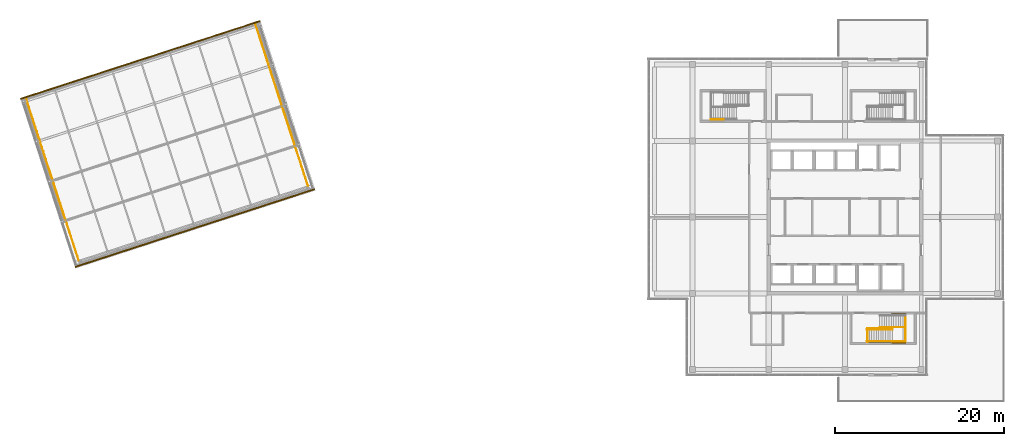
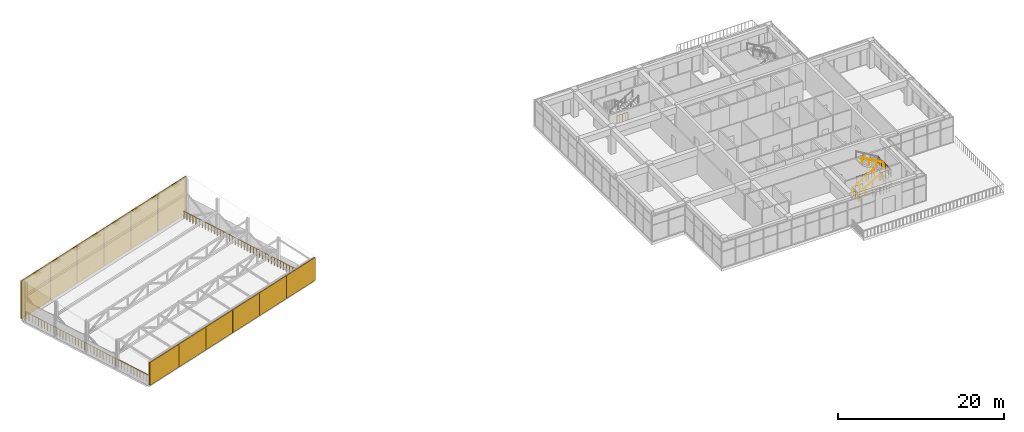
# One storey, part 47 of 49: 12 coverings, 10 railings.
"""IFC4 building model written with IfcOpenShell, lengths in metres."""

from ifc_helpers import new_model, si_unit, direction, frame, origin, origin_2d, place, context, subcontext, project, spatial, polyline, circle, outline, extrude, material, layer, layer_set, type_object, element, save


model = new_model("IFC4")

# Units and contexts
model_context = context("Model", 3, precision=1e-05, world=origin(), true_north=direction((0.0, 1.0)))
body_context = subcontext(model_context, "Body", "Model", "MODEL_VIEW")
ifc_project = project(units=[si_unit("LENGTHUNIT", "METRE"), si_unit("AREAUNIT", "SQUARE_METRE"), si_unit("VOLUMEUNIT", "CUBIC_METRE"), si_unit("PLANEANGLEUNIT", "RADIAN"), si_unit("MASSUNIT", "GRAM", prefix="KILO")], contexts=[model_context])

# Site, building, storey
site_placement = place(None, origin())
site = spatial("IfcSite", under=ifc_project, at=site_placement, CompositionType="ELEMENT")
building_placement = place(site_placement, origin())
building = spatial("IfcBuilding", under=site, at=building_placement, Name="Tuart Plaza Theatre", CompositionType="ELEMENT")
storey_placement = place(building_placement, frame((0.0, 0.0, 29.5)))
storey = spatial("IfcBuildingStorey", under=building, at=storey_placement, Name="L07", CompositionType="ELEMENT", Elevation=29.5)

# Coverings
ifc_material_1 = material(Name="Zinc")
ifc_layer = layer(ifc_material_1, 0.14990234375)
ifc_layer_set = layer_set([ifc_layer], Name="COVERING-ZINC-RAINSCREEN150")
covering_type = type_object("IfcCoveringType", Name="COVERING-ZINC-RAINSCREEN150", PredefinedType="CLADDING", material=ifc_layer_set)
covering_1_placement = place(storey_placement, frame((0.0, 0.0, 0.300048828125)))
element("IfcCovering", 1, at=covering_1_placement, inside=storey, type_object=covering_type, Name="CL70", PredefinedType="CLADDING", context=body_context, shape_type="SweptSolid", body=[
    extrude(outline(polyline([(41.10546875, 68.193359375), (46.039794921875, 69.796630859375), (46.086181640625, 69.654052734375), (41.15185546875, 68.05078125), (41.10546875, 68.193359375)])), origin(), (0.0, 0.0, 1.0), 3.347412109375),
])
covering_2_placement = place(storey_placement, frame((0.0, 0.0, 0.300048828125)))
element("IfcCovering", 2, at=covering_2_placement, inside=storey, type_object=covering_type, Name="CL71", PredefinedType="CLADDING", context=body_context, shape_type="SweptSolid", body=[
    extrude(outline(polyline([(46.058837890625, 69.802978515625), (50.63671875, 71.290283203125), (50.68310546875, 71.147705078125), (46.105224609375, 69.66015625), (46.058837890625, 69.802978515625)])), origin(), (0.0, 0.0, 1.0), 3.347412109375),
])
covering_3_placement = place(storey_placement, frame((0.0, 0.0, 0.300048828125)))
element("IfcCovering", 3, at=covering_3_placement, inside=storey, type_object=covering_type, Name="CL72", PredefinedType="CLADDING", context=body_context, shape_type="SweptSolid", body=[
    extrude(outline(polyline([(50.655517578125, 71.29638671875), (55.2333984375, 72.783935546875), (55.27978515625, 72.64111328125), (50.701904296875, 71.15380859375), (50.655517578125, 71.29638671875)])), origin(), (0.0, 0.0, 1.0), 3.347412109375),
])
covering_4_placement = place(storey_placement, frame((0.0, 0.0, 0.300048828125)))
element("IfcCovering", 4, at=covering_4_placement, inside=storey, type_object=covering_type, Name="CL73", PredefinedType="CLADDING", context=body_context, shape_type="SweptSolid", body=[
    extrude(outline(polyline([(55.25244140625, 72.7900390625), (59.830078125, 74.277587890625), (59.87646484375, 74.134765625), (55.298828125, 72.6474609375), (55.25244140625, 72.7900390625)])), origin(), (0.0, 0.0, 1.0), 3.347412109375),
])
covering_5_placement = place(storey_placement, frame((0.0, 0.0, 0.300048828125)))
element("IfcCovering", 5, at=covering_5_placement, inside=storey, type_object=covering_type, Name="CL74", PredefinedType="CLADDING", context=body_context, shape_type="SweptSolid", body=[
    extrude(outline(polyline([(59.84912109375, 74.28369140625), (64.427001953125, 75.77099609375), (64.473388671875, 75.62841796875), (59.8955078125, 74.14111328125), (59.84912109375, 74.28369140625)])), origin(), (0.0, 0.0, 1.0), 3.347412109375),
])
covering_6_placement = place(storey_placement, frame((0.0, 0.0, 0.300048828125)))
element("IfcCovering", 6, at=covering_6_placement, inside=storey, type_object=covering_type, Name="CL75", PredefinedType="CLADDING", context=body_context, shape_type="SweptSolid", body=[
    extrude(outline(polyline([(64.446044921875, 75.777099609375), (69.38037109375, 77.380615234375), (69.4267578125, 77.23779296875), (64.4921875, 75.634521484375), (64.446044921875, 75.777099609375)])), origin(), (0.0, 0.0, 1.0), 3.347412109375),
])
covering_7_placement = place(storey_placement, frame((0.0, 0.0, 0.300048828125)))
element("IfcCovering", 7, at=covering_7_placement, inside=storey, type_object=covering_type, Name="CL76", PredefinedType="CLADDING", context=body_context, shape_type="SweptSolid", body=[
    extrude(outline(polyline([(34.660888671875, 88.027587890625), (39.59521484375, 89.631103515625), (39.6416015625, 89.48828125), (34.707275390625, 87.885009765625), (34.660888671875, 88.027587890625)])), origin(), (0.0, 0.0, 1.0), 5.554931640625),
])
covering_8_placement = place(storey_placement, frame((0.0, 0.0, 0.300048828125)))
element("IfcCovering", 8, at=covering_8_placement, inside=storey, type_object=covering_type, Name="CL77", PredefinedType="CLADDING", context=body_context, shape_type="SweptSolid", body=[
    extrude(outline(polyline([(39.6142578125, 89.63720703125), (44.192138671875, 91.12451171875), (44.23828125, 90.98193359375), (39.66064453125, 89.494384765625), (39.6142578125, 89.63720703125)])), origin(), (0.0, 0.0, 1.0), 5.554931640625),
])
covering_9_placement = place(storey_placement, frame((0.0, 0.0, 0.300048828125)))
element("IfcCovering", 9, at=covering_9_placement, inside=storey, type_object=covering_type, Name="CL78", PredefinedType="CLADDING", context=body_context, shape_type="SweptSolid", body=[
    extrude(outline(polyline([(44.211181640625, 91.130859375), (48.788818359375, 92.6181640625), (48.835205078125, 92.4755859375), (44.25732421875, 90.988037109375), (44.211181640625, 91.130859375)])), origin(), (0.0, 0.0, 1.0), 5.554931640625),
])
covering_10_placement = place(storey_placement, frame((0.0, 0.0, 0.300048828125)))
element("IfcCovering", 10, at=covering_10_placement, inside=storey, type_object=covering_type, Name="CL79", PredefinedType="CLADDING", context=body_context, shape_type="SweptSolid", body=[
    extrude(outline(polyline([(48.807861328125, 92.624267578125), (53.385498046875, 94.11181640625), (53.431884765625, 93.968994140625), (48.854248046875, 92.481689453125), (48.807861328125, 92.624267578125)])), origin(), (0.0, 0.0, 1.0), 5.554931640625),
])
covering_11_placement = place(storey_placement, frame((0.0, 0.0, 0.300048828125)))
element("IfcCovering", 11, at=covering_11_placement, inside=storey, type_object=covering_type, Name="CL80", PredefinedType="CLADDING", context=body_context, shape_type="SweptSolid", body=[
    extrude(outline(polyline([(53.404541015625, 94.117919921875), (57.982421875, 95.605224609375), (58.02880859375, 95.462646484375), (53.450927734375, 93.975341796875), (53.404541015625, 94.117919921875)])), origin(), (0.0, 0.0, 1.0), 5.554931640625),
])
covering_12_placement = place(storey_placement, frame((0.0, 0.0, 0.300048828125)))
element("IfcCovering", 12, at=covering_12_placement, inside=storey, type_object=covering_type, Name="CL81", PredefinedType="CLADDING", context=body_context, shape_type="SweptSolid", body=[
    extrude(outline(polyline([(58.00146484375, 95.611572265625), (62.935791015625, 97.21484375), (62.982177734375, 97.072021484375), (58.0478515625, 95.46875), (58.00146484375, 95.611572265625)])), origin(), (0.0, 0.0, 1.0), 5.554931640625),
])

# Railings
ifc_material_2 = material(Name="Steel Grade C350L0", Category="steel")
railing_type_1 = type_object("IfcRailingType", Name="RAILING Guard 1100", PredefinedType="GUARDRAIL", material=ifc_material_2)
railing_1_placement = place(storey_placement, frame((41.54248046875, 68.9033203125, 0.0)))
element("IfcRailing", 13, at=railing_1_placement, inside=storey, type_object=railing_type_1, Name="GR123", PredefinedType="GUARDRAIL", context=body_context, shape_type="SweptSolid", body=[
    extrude(circle(Radius=0.02490234375, at=origin_2d()), frame((0.0, 0.0, 1.0751953125), z_axis=(-0.309022586479, 0.951054699292, 0.0), x_axis=(-0.951054699292, -0.309022586479, 0.0)), (0.0, 0.0, 1.0), 20.0),
    extrude(circle(Radius=0.02001953125, at=origin_2d()), origin(), (0.0, 0.0, 1.0), 1.050048828125),
    extrude(circle(Radius=0.02001953125, at=origin_2d()), frame((-0.154541015625, 0.4755859375, 0.0)), (0.0, 0.0, 1.0), 1.050048828125),
    extrude(circle(Radius=0.02001953125, at=origin_2d()), frame((-0.30908203125, 0.951171875, 0.0)), (0.0, 0.0, 1.0), 1.050048828125),
    extrude(circle(Radius=0.02001953125, at=origin_2d()), frame((-0.463623046875, 1.426513671875, 0.0)), (0.0, 0.0, 1.0), 1.050048828125),
    extrude(circle(Radius=0.02001953125, at=origin_2d()), frame((-0.6181640625, 1.902099609375, 0.0)), (0.0, 0.0, 1.0), 1.050048828125),
    extrude(circle(Radius=0.02001953125, at=origin_2d()), frame((-0.7724609375, 2.377685546875, 0.0)), (0.0, 0.0, 1.0), 1.050048828125),
    extrude(circle(Radius=0.02001953125, at=origin_2d()), frame((-0.927001953125, 2.85302734375, 0.0)), (0.0, 0.0, 1.0), 1.050048828125),
    extrude(circle(Radius=0.02001953125, at=origin_2d()), frame((-1.08154296875, 3.32861328125, 0.0)), (0.0, 0.0, 1.0), 1.050048828125),
    extrude(circle(Radius=0.02001953125, at=origin_2d()), frame((-1.236083984375, 3.80419921875, 0.0)), (0.0, 0.0, 1.0), 1.050048828125),
    extrude(circle(Radius=0.02001953125, at=origin_2d()), frame((-1.390625, 4.27978515625, 0.0)), (0.0, 0.0, 1.0), 1.050048828125),
    extrude(circle(Radius=0.02001953125, at=origin_2d()), frame((-1.545166015625, 4.75537109375, 0.0)), (0.0, 0.0, 1.0), 1.050048828125),
    extrude(circle(Radius=0.02001953125, at=origin_2d()), frame((-1.69970703125, 5.230712890625, 0.0)), (0.0, 0.0, 1.0), 1.050048828125),
    extrude(circle(Radius=0.02001953125, at=origin_2d()), frame((-1.85400390625, 5.706298828125, 0.0)), (0.0, 0.0, 1.0), 1.050048828125),
    extrude(circle(Radius=0.02001953125, at=origin_2d()), frame((-2.008544921875, 6.181884765625, 0.0)), (0.0, 0.0, 1.0), 1.050048828125),
    extrude(circle(Radius=0.02001953125, at=origin_2d()), frame((-2.1630859375, 6.6572265625, 0.0)), (0.0, 0.0, 1.0), 1.050048828125),
    extrude(circle(Radius=0.02001953125, at=origin_2d()), frame((-2.317626953125, 7.1328125, 0.0)), (0.0, 0.0, 1.0), 1.050048828125),
    extrude(circle(Radius=0.02001953125, at=origin_2d()), frame((-2.47216796875, 7.6083984375, 0.0)), (0.0, 0.0, 1.0), 1.050048828125),
    extrude(circle(Radius=0.02001953125, at=origin_2d()), frame((-2.626708984375, 8.083984375, 0.0)), (0.0, 0.0, 1.0), 1.050048828125),
    extrude(circle(Radius=0.02001953125, at=origin_2d()), frame((-2.78125, 8.5595703125, 0.0)), (0.0, 0.0, 1.0), 1.050048828125),
    extrude(circle(Radius=0.02001953125, at=origin_2d()), frame((-2.935791015625, 9.034912109375, 0.0)), (0.0, 0.0, 1.0), 1.050048828125),
    extrude(circle(Radius=0.02001953125, at=origin_2d()), frame((-3.09033203125, 9.510498046875, 0.0)), (0.0, 0.0, 1.0), 1.050048828125),
    extrude(circle(Radius=0.02001953125, at=origin_2d()), frame((-3.24462890625, 9.986083984375, 0.0)), (0.0, 0.0, 1.0), 1.050048828125),
    extrude(circle(Radius=0.02001953125, at=origin_2d()), frame((-3.399169921875, 10.46142578125, 0.0)), (0.0, 0.0, 1.0), 1.050048828125),
    extrude(circle(Radius=0.02001953125, at=origin_2d()), frame((-3.5537109375, 10.93701171875, 0.0)), (0.0, 0.0, 1.0), 1.050048828125),
    extrude(circle(Radius=0.02001953125, at=origin_2d()), frame((-3.708251953125, 11.41259765625, 0.0)), (0.0, 0.0, 1.0), 1.050048828125),
    extrude(circle(Radius=0.02001953125, at=origin_2d()), frame((-3.86279296875, 11.88818359375, 0.0)), (0.0, 0.0, 1.0), 1.050048828125),
    extrude(circle(Radius=0.02001953125, at=origin_2d()), frame((-4.017333984375, 12.36376953125, 0.0)), (0.0, 0.0, 1.0), 1.050048828125),
    extrude(circle(Radius=0.02001953125, at=origin_2d()), frame((-4.171875, 12.839111328125, 0.0)), (0.0, 0.0, 1.0), 1.050048828125),
    extrude(circle(Radius=0.02001953125, at=origin_2d()), frame((-4.326171875, 13.314697265625, 0.0)), (0.0, 0.0, 1.0), 1.050048828125),
    extrude(circle(Radius=0.02001953125, at=origin_2d()), frame((-4.480712890625, 13.790283203125, 0.0)), (0.0, 0.0, 1.0), 1.050048828125),
    extrude(circle(Radius=0.02001953125, at=origin_2d()), frame((-4.63525390625, 14.265625, 0.0)), (0.0, 0.0, 1.0), 1.050048828125),
    extrude(circle(Radius=0.02001953125, at=origin_2d()), frame((-4.789794921875, 14.7412109375, 0.0)), (0.0, 0.0, 1.0), 1.050048828125),
    extrude(circle(Radius=0.02001953125, at=origin_2d()), frame((-4.9443359375, 15.216796875, 0.0)), (0.0, 0.0, 1.0), 1.050048828125),
    extrude(circle(Radius=0.02001953125, at=origin_2d()), frame((-5.098876953125, 15.6923828125, 0.0)), (0.0, 0.0, 1.0), 1.050048828125),
    extrude(circle(Radius=0.02001953125, at=origin_2d()), frame((-5.25341796875, 16.16796875, 0.0)), (0.0, 0.0, 1.0), 1.050048828125),
    extrude(circle(Radius=0.02001953125, at=origin_2d()), frame((-5.407958984375, 16.643310546875, 0.0)), (0.0, 0.0, 1.0), 1.050048828125),
    extrude(circle(Radius=0.02001953125, at=origin_2d()), frame((-5.5625, 17.118896484375, 0.0)), (0.0, 0.0, 1.0), 1.050048828125),
    extrude(circle(Radius=0.02001953125, at=origin_2d()), frame((-5.716796875, 17.594482421875, 0.0)), (0.0, 0.0, 1.0), 1.050048828125),
    extrude(circle(Radius=0.02001953125, at=origin_2d()), frame((-5.871337890625, 18.06982421875, 0.0)), (0.0, 0.0, 1.0), 1.050048828125),
    extrude(circle(Radius=0.02001953125, at=origin_2d()), frame((-6.02587890625, 18.54541015625, 0.0)), (0.0, 0.0, 1.0), 1.050048828125),
    extrude(circle(Radius=0.02001953125, at=origin_2d()), frame((-6.180419921875, 19.02099609375, 0.0)), (0.0, 0.0, 1.0), 1.050048828125),
])
railing_2_placement = place(storey_placement, frame((68.609619140625, 77.69775390625, 0.0)))
element("IfcRailing", 14, at=railing_2_placement, inside=storey, type_object=railing_type_1, Name="GR124", PredefinedType="GUARDRAIL", context=body_context, shape_type="SweptSolid", body=[
    extrude(circle(Radius=0.02490234375, at=origin_2d()), frame((0.0, 0.0, 1.0751953125), z_axis=(-0.309018998885, 0.951055864988, 0.0), x_axis=(-0.951055864988, -0.309018998885, 0.0)), (0.0, 0.0, 1.0), 20.000244140625),
    extrude(circle(Radius=0.02001953125, at=origin_2d()), origin(), (0.0, 0.0, 1.0), 1.050048828125),
    extrude(circle(Radius=0.02001953125, at=origin_2d()), frame((-0.150634765625, 0.4638671875, 0.0)), (0.0, 0.0, 1.0), 1.050048828125),
    extrude(circle(Radius=0.02001953125, at=origin_2d()), frame((-0.301513671875, 0.927978515625, 0.0)), (0.0, 0.0, 1.0), 1.050048828125),
    extrude(circle(Radius=0.02001953125, at=origin_2d()), frame((-0.4521484375, 1.391845703125, 0.0)), (0.0, 0.0, 1.0), 1.050048828125),
    extrude(circle(Radius=0.02001953125, at=origin_2d()), frame((-0.60302734375, 1.855712890625, 0.0)), (0.0, 0.0, 1.0), 1.050048828125),
    extrude(circle(Radius=0.02001953125, at=origin_2d()), frame((-0.753662109375, 2.319580078125, 0.0)), (0.0, 0.0, 1.0), 1.050048828125),
    extrude(circle(Radius=0.02001953125, at=origin_2d()), frame((-0.904541015625, 2.78369140625, 0.0)), (0.0, 0.0, 1.0), 1.050048828125),
    extrude(circle(Radius=0.02001953125, at=origin_2d()), frame((-1.05517578125, 3.24755859375, 0.0)), (0.0, 0.0, 1.0), 1.050048828125),
    extrude(circle(Radius=0.02001953125, at=origin_2d()), frame((-1.2060546875, 3.71142578125, 0.0)), (0.0, 0.0, 1.0), 1.050048828125),
    extrude(circle(Radius=0.02001953125, at=origin_2d()), frame((-1.356689453125, 4.17529296875, 0.0)), (0.0, 0.0, 1.0), 1.050048828125),
    extrude(circle(Radius=0.02001953125, at=origin_2d()), frame((-1.50732421875, 4.639404296875, 0.0)), (0.0, 0.0, 1.0), 1.050048828125),
    extrude(circle(Radius=0.02001953125, at=origin_2d()), frame((-1.658203125, 5.103271484375, 0.0)), (0.0, 0.0, 1.0), 1.050048828125),
    extrude(circle(Radius=0.02001953125, at=origin_2d()), frame((-1.808837890625, 5.567138671875, 0.0)), (0.0, 0.0, 1.0), 1.050048828125),
    extrude(circle(Radius=0.02001953125, at=origin_2d()), frame((-1.959716796875, 6.031005859375, 0.0)), (0.0, 0.0, 1.0), 1.050048828125),
    extrude(circle(Radius=0.02001953125, at=origin_2d()), frame((-2.1103515625, 6.4951171875, 0.0)), (0.0, 0.0, 1.0), 1.050048828125),
    extrude(circle(Radius=0.02001953125, at=origin_2d()), frame((-2.26123046875, 6.958984375, 0.0)), (0.0, 0.0, 1.0), 1.050048828125),
    extrude(circle(Radius=0.02001953125, at=origin_2d()), frame((-2.411865234375, 7.4228515625, 0.0)), (0.0, 0.0, 1.0), 1.050048828125),
    extrude(circle(Radius=0.02001953125, at=origin_2d()), frame((-2.5625, 7.886962890625, 0.0)), (0.0, 0.0, 1.0), 1.050048828125),
    extrude(circle(Radius=0.02001953125, at=origin_2d()), frame((-2.71337890625, 8.350830078125, 0.0)), (0.0, 0.0, 1.0), 1.050048828125),
    extrude(circle(Radius=0.02001953125, at=origin_2d()), frame((-2.864013671875, 8.814697265625, 0.0)), (0.0, 0.0, 1.0), 1.050048828125),
    extrude(circle(Radius=0.02001953125, at=origin_2d()), frame((-3.014892578125, 9.278564453125, 0.0)), (0.0, 0.0, 1.0), 1.050048828125),
    extrude(circle(Radius=0.02001953125, at=origin_2d()), frame((-3.16552734375, 9.74267578125, 0.0)), (0.0, 0.0, 1.0), 1.050048828125),
    extrude(circle(Radius=0.02001953125, at=origin_2d()), frame((-3.31640625, 10.20654296875, 0.0)), (0.0, 0.0, 1.0), 1.050048828125),
    extrude(circle(Radius=0.02001953125, at=origin_2d()), frame((-3.467041015625, 10.67041015625, 0.0)), (0.0, 0.0, 1.0), 1.050048828125),
    extrude(circle(Radius=0.02001953125, at=origin_2d()), frame((-3.617919921875, 11.13427734375, 0.0)), (0.0, 0.0, 1.0), 1.050048828125),
    extrude(circle(Radius=0.02001953125, at=origin_2d()), frame((-3.7685546875, 11.598388671875, 0.0)), (0.0, 0.0, 1.0), 1.050048828125),
    extrude(circle(Radius=0.02001953125, at=origin_2d()), frame((-3.919189453125, 12.062255859375, 0.0)), (0.0, 0.0, 1.0), 1.050048828125),
    extrude(circle(Radius=0.02001953125, at=origin_2d()), frame((-4.070068359375, 12.526123046875, 0.0)), (0.0, 0.0, 1.0), 1.050048828125),
    extrude(circle(Radius=0.02001953125, at=origin_2d()), frame((-4.220703125, 12.990234375, 0.0)), (0.0, 0.0, 1.0), 1.050048828125),
    extrude(circle(Radius=0.02001953125, at=origin_2d()), frame((-4.37158203125, 13.4541015625, 0.0)), (0.0, 0.0, 1.0), 1.050048828125),
    extrude(circle(Radius=0.02001953125, at=origin_2d()), frame((-4.522216796875, 13.91796875, 0.0)), (0.0, 0.0, 1.0), 1.050048828125),
    extrude(circle(Radius=0.02001953125, at=origin_2d()), frame((-4.673095703125, 14.3818359375, 0.0)), (0.0, 0.0, 1.0), 1.050048828125),
    extrude(circle(Radius=0.02001953125, at=origin_2d()), frame((-4.82373046875, 14.845947265625, 0.0)), (0.0, 0.0, 1.0), 1.050048828125),
    extrude(circle(Radius=0.02001953125, at=origin_2d()), frame((-4.974365234375, 15.309814453125, 0.0)), (0.0, 0.0, 1.0), 1.050048828125),
    extrude(circle(Radius=0.02001953125, at=origin_2d()), frame((-5.125244140625, 15.773681640625, 0.0)), (0.0, 0.0, 1.0), 1.050048828125),
    extrude(circle(Radius=0.02001953125, at=origin_2d()), frame((-5.27587890625, 16.237548828125, 0.0)), (0.0, 0.0, 1.0), 1.050048828125),
    extrude(circle(Radius=0.02001953125, at=origin_2d()), frame((-5.4267578125, 16.70166015625, 0.0)), (0.0, 0.0, 1.0), 1.050048828125),
    extrude(circle(Radius=0.02001953125, at=origin_2d()), frame((-5.577392578125, 17.16552734375, 0.0)), (0.0, 0.0, 1.0), 1.050048828125),
    extrude(circle(Radius=0.02001953125, at=origin_2d()), frame((-5.728271484375, 17.62939453125, 0.0)), (0.0, 0.0, 1.0), 1.050048828125),
    extrude(circle(Radius=0.02001953125, at=origin_2d()), frame((-5.87890625, 18.09326171875, 0.0)), (0.0, 0.0, 1.0), 1.050048828125),
    extrude(circle(Radius=0.02001953125, at=origin_2d()), frame((-6.02978515625, 18.557373046875, 0.0)), (0.0, 0.0, 1.0), 1.050048828125),
    extrude(circle(Radius=0.02001953125, at=origin_2d()), frame((-6.180419921875, 19.021240234375, 0.0)), (0.0, 0.0, 1.0), 1.050048828125),
])
railing_3_placement = place(storey_placement, frame((134.655029296875, 59.25, 0.0)))
element("IfcRailing", 15, at=railing_3_placement, inside=storey, type_object=railing_type_1, Name="GR229", PredefinedType="GUARDRAIL", context=body_context, shape_type="SweptSolid", body=[
    extrude(circle(Radius=0.02490234375, at=origin_2d()), frame((0.0, 0.0, 1.0751953125), z_axis=(0.0, 1.0, 0.0), x_axis=(-1.0, 0.0, 0.0)), (0.0, 0.0, 1.0), 1.625),
    extrude(circle(Radius=0.02490234375, at=origin_2d()), frame((0.0, 1.625, 1.0751953125), z_axis=(1.0, 0.0, 0.0), x_axis=(0.0, 1.0, 0.0)), (0.0, 0.0, 1.0), 1.455078125),
    extrude(circle(Radius=0.02001953125, at=origin_2d()), origin(), (0.0, 0.0, 1.0), 1.050048828125),
    extrude(circle(Radius=0.02001953125, at=origin_2d()), frame((0.0, 0.40625, 0.0)), (0.0, 0.0, 1.0), 1.050048828125),
    extrude(circle(Radius=0.02001953125, at=origin_2d()), frame((0.0, 0.8125, 0.0)), (0.0, 0.0, 1.0), 1.050048828125),
    extrude(circle(Radius=0.02001953125, at=origin_2d()), frame((0.0, 1.21875, 0.0)), (0.0, 0.0, 1.0), 1.050048828125),
    extrude(circle(Radius=0.02001953125, at=origin_2d()), frame((0.0, 1.625, 0.0)), (0.0, 0.0, 1.0), 1.050048828125),
    extrude(circle(Radius=0.02001953125, at=origin_2d()), frame((0.485107421875, 1.625, 0.0)), (0.0, 0.0, 1.0), 1.050048828125),
    extrude(circle(Radius=0.02001953125, at=origin_2d()), frame((0.969970703125, 1.625, 0.0)), (0.0, 0.0, 1.0), 1.050048828125),
    extrude(circle(Radius=0.02001953125, at=origin_2d()), frame((1.455078125, 1.625, 0.0)), (0.0, 0.0, 1.0), 1.050048828125),
])
railing_4_placement = place(storey_placement, frame((136.114990234375, 62.455078125, 0.0)))
element("IfcRailing", 16, at=railing_4_placement, inside=storey, type_object=railing_type_1, Name="GR230", PredefinedType="GUARDRAIL", context=body_context, shape_type="SweptSolid", body=[
    extrude(circle(Radius=0.02490234375, at=origin_2d()), frame((0.0, 0.0, 1.0751953125), z_axis=(0.0, 1.0, 0.0), x_axis=(-1.0, 0.0, 0.0)), (0.0, 0.0, 1.0), 0.044921875),
    extrude(circle(Radius=0.02490234375, at=origin_2d()), frame((0.0, 0.044921875, 1.0751953125), z_axis=(1.0, 0.0, 0.0), x_axis=(0.0, 1.0, 0.0)), (0.0, 0.0, 1.0), 1.43505859375),
    extrude(circle(Radius=0.02490234375, at=origin_2d()), frame((1.43505859375, 0.044921875, 1.0751953125), z_axis=(0.0, 1.0, 0.0), x_axis=(-1.0, 0.0, 0.0)), (0.0, 0.0, 1.0), 0.123046875),
    extrude(circle(Radius=0.02490234375, at=origin_2d()), frame((1.43505859375, 0.16796875, 1.0751953125), z_axis=(1.0, 0.0, 0.0), x_axis=(0.0, 1.0, 0.0)), (0.0, 0.0, 1.0), 1.6298828125),
    extrude(circle(Radius=0.02490234375, at=origin_2d()), frame((3.06494140625, 0.16796875, 1.0751953125), z_axis=(0.0, -1.0, 0.0), x_axis=(1.0, 0.0, 0.0)), (0.0, 0.0, 1.0), 3.49609375),
    extrude(circle(Radius=0.02490234375, at=origin_2d()), frame((3.06494140625, -3.328125, 1.0751953125), z_axis=(-1.0, 0.0, 0.0), x_axis=(0.0, -1.0, 0.0)), (0.0, 0.0, 1.0), 1.6298828125),
    extrude(circle(Radius=0.02490234375, at=origin_2d()), frame((1.43505859375, -3.328125, 1.0751953125), z_axis=(0.0, 1.0, 0.0), x_axis=(-1.0, 0.0, 0.0)), (0.0, 0.0, 1.0), 0.123046875),
    extrude(circle(Radius=0.02490234375, at=origin_2d()), frame((1.43505859375, -3.205078125, 1.0751953125), z_axis=(-1.0, 0.0, 0.0), x_axis=(0.0, -1.0, 0.0)), (0.0, 0.0, 1.0), 2.89501953125),
    extrude(circle(Radius=0.02001953125, at=origin_2d()), origin(), (0.0, 0.0, 1.0), 1.050048828125),
    extrude(circle(Radius=0.02001953125, at=origin_2d()), frame((0.0, 0.044921875, 0.0)), (0.0, 0.0, 1.0), 1.050048828125),
    extrude(circle(Radius=0.02001953125, at=origin_2d()), frame((0.478271484375, 0.044921875, 0.0)), (0.0, 0.0, 1.0), 1.050048828125),
    extrude(circle(Radius=0.02001953125, at=origin_2d()), frame((0.956787109375, 0.044921875, 0.0)), (0.0, 0.0, 1.0), 1.050048828125),
    extrude(circle(Radius=0.02001953125, at=origin_2d()), frame((1.43505859375, 0.044921875, 0.0)), (0.0, 0.0, 1.0), 1.050048828125),
    extrude(circle(Radius=0.02001953125, at=origin_2d()), frame((1.43505859375, 0.16796875, 0.0)), (0.0, 0.0, 1.0), 1.050048828125),
    extrude(circle(Radius=0.02001953125, at=origin_2d()), frame((1.842529296875, 0.16796875, 0.0)), (0.0, 0.0, 1.0), 1.050048828125),
    extrude(circle(Radius=0.02001953125, at=origin_2d()), frame((2.25, 0.16796875, 0.0)), (0.0, 0.0, 1.0), 1.050048828125),
    extrude(circle(Radius=0.02001953125, at=origin_2d()), frame((2.657470703125, 0.16796875, 0.0)), (0.0, 0.0, 1.0), 1.050048828125),
    extrude(circle(Radius=0.02001953125, at=origin_2d()), frame((3.06494140625, 0.16796875, 0.0)), (0.0, 0.0, 1.0), 1.050048828125),
    extrude(circle(Radius=0.02001953125, at=origin_2d()), frame((3.06494140625, -0.33154296875, 0.0)), (0.0, 0.0, 1.0), 1.050048828125),
    extrude(circle(Radius=0.02001953125, at=origin_2d()), frame((3.06494140625, -0.830810546875, 0.0)), (0.0, 0.0, 1.0), 1.050048828125),
    extrude(circle(Radius=0.02001953125, at=origin_2d()), frame((3.06494140625, -1.330322265625, 0.0)), (0.0, 0.0, 1.0), 1.050048828125),
    extrude(circle(Radius=0.02001953125, at=origin_2d()), frame((3.06494140625, -1.829833984375, 0.0)), (0.0, 0.0, 1.0), 1.050048828125),
    extrude(circle(Radius=0.02001953125, at=origin_2d()), frame((3.06494140625, -2.329345703125, 0.0)), (0.0, 0.0, 1.0), 1.050048828125),
    extrude(circle(Radius=0.02001953125, at=origin_2d()), frame((3.06494140625, -2.82861328125, 0.0)), (0.0, 0.0, 1.0), 1.050048828125),
    extrude(circle(Radius=0.02001953125, at=origin_2d()), frame((3.06494140625, -3.328125, 0.0)), (0.0, 0.0, 1.0), 1.050048828125),
    extrude(circle(Radius=0.02001953125, at=origin_2d()), frame((2.657470703125, -3.328125, 0.0)), (0.0, 0.0, 1.0), 1.050048828125),
    extrude(circle(Radius=0.02001953125, at=origin_2d()), frame((2.25, -3.328125, 0.0)), (0.0, 0.0, 1.0), 1.050048828125),
    extrude(circle(Radius=0.02001953125, at=origin_2d()), frame((1.842529296875, -3.328125, 0.0)), (0.0, 0.0, 1.0), 1.050048828125),
    extrude(circle(Radius=0.02001953125, at=origin_2d()), frame((1.43505859375, -3.328125, 0.0)), (0.0, 0.0, 1.0), 1.050048828125),
    extrude(circle(Radius=0.02001953125, at=origin_2d()), frame((1.43505859375, -3.205078125, 0.0)), (0.0, 0.0, 1.0), 1.050048828125),
    extrude(circle(Radius=0.02001953125, at=origin_2d()), frame((0.95263671875, -3.205078125, 0.0)), (0.0, 0.0, 1.0), 1.050048828125),
    extrude(circle(Radius=0.02001953125, at=origin_2d()), frame((0.469970703125, -3.205078125, 0.0)), (0.0, 0.0, 1.0), 1.050048828125),
    extrude(circle(Radius=0.02001953125, at=origin_2d()), frame((-0.012451171875, -3.205078125, 0.0)), (0.0, 0.0, 1.0), 1.050048828125),
    extrude(circle(Radius=0.02001953125, at=origin_2d()), frame((-0.494873046875, -3.205078125, 0.0)), (0.0, 0.0, 1.0), 1.050048828125),
    extrude(circle(Radius=0.02001953125, at=origin_2d()), frame((-0.9775390625, -3.205078125, 0.0)), (0.0, 0.0, 1.0), 1.050048828125),
    extrude(circle(Radius=0.02001953125, at=origin_2d()), frame((-1.4599609375, -3.205078125, 0.0)), (0.0, 0.0, 1.0), 1.050048828125),
])
railing_5_placement = place(storey_placement, frame((137.60009765625, 59.300048828125, 2.0)))
element("IfcRailing", 17, at=railing_5_placement, inside=storey, type_object=railing_type_1, Name="GR236", PredefinedType="GUARDRAIL", context=body_context, shape_type="SweptSolid", body=[
    extrude(circle(Radius=0.02490234375, at=origin_2d()), frame((0.0, 0.0, 1.0751953125), z_axis=(1.0, 0.0, 0.0), x_axis=(0.0, 1.0, 0.0)), (0.0, 0.0, 1.0), 1.52978515625),
    extrude(circle(Radius=0.02001953125, at=origin_2d()), origin(), (0.0, 0.0, 1.0), 1.050048828125),
    extrude(circle(Radius=0.02001953125, at=origin_2d()), frame((0.38232421875, 0.0, 0.0)), (0.0, 0.0, 1.0), 1.050048828125),
    extrude(circle(Radius=0.02001953125, at=origin_2d()), frame((0.764892578125, 0.0, 0.0)), (0.0, 0.0, 1.0), 1.050048828125),
    extrude(circle(Radius=0.02001953125, at=origin_2d()), frame((1.1474609375, 0.0, 0.0)), (0.0, 0.0, 1.0), 1.050048828125),
    extrude(circle(Radius=0.02001953125, at=origin_2d()), frame((1.52978515625, 0.0, 0.0)), (0.0, 0.0, 1.0), 1.050048828125),
])
railing_6_placement = place(storey_placement, frame((139.1298828125, 59.300048828125, 2.0)))
element("IfcRailing", 18, at=railing_6_placement, inside=storey, type_object=railing_type_1, Name="GR237", PredefinedType="GUARDRAIL", context=body_context, shape_type="SweptSolid", body=[
    extrude(circle(Radius=0.02490234375, at=origin_2d()), frame((0.0, 0.0, 1.0751953125), z_axis=(0.0, 1.0, 0.0), x_axis=(-1.0, 0.0, 0.0)), (0.0, 0.0, 1.0), 3.14990234375),
    extrude(circle(Radius=0.02001953125, at=origin_2d()), origin(), (0.0, 0.0, 1.0), 1.050048828125),
    extrude(circle(Radius=0.02001953125, at=origin_2d()), frame((0.0, 0.449951171875, 0.0)), (0.0, 0.0, 1.0), 1.050048828125),
    extrude(circle(Radius=0.02001953125, at=origin_2d()), frame((0.0, 0.89990234375, 0.0)), (0.0, 0.0, 1.0), 1.050048828125),
    extrude(circle(Radius=0.02001953125, at=origin_2d()), frame((0.0, 1.349853515625, 0.0)), (0.0, 0.0, 1.0), 1.050048828125),
    extrude(circle(Radius=0.02001953125, at=origin_2d()), frame((0.0, 1.800048828125, 0.0)), (0.0, 0.0, 1.0), 1.050048828125),
    extrude(circle(Radius=0.02001953125, at=origin_2d()), frame((0.0, 2.25, 0.0)), (0.0, 0.0, 1.0), 1.050048828125),
    extrude(circle(Radius=0.02001953125, at=origin_2d()), frame((0.0, 2.699951171875, 0.0)), (0.0, 0.0, 1.0), 1.050048828125),
    extrude(circle(Radius=0.02001953125, at=origin_2d()), frame((0.0, 3.14990234375, 0.0)), (0.0, 0.0, 1.0), 1.050048828125),
])
railing_7_placement = place(storey_placement, frame((116.169921875, 85.550048828125, 2.0)))
element("IfcRailing", 19, at=railing_7_placement, inside=storey, type_object=railing_type_1, Name="GR396", PredefinedType="GUARDRAIL", context=body_context, shape_type="SweptSolid", body=[
    extrude(circle(Radius=0.02490234375, at=origin_2d()), frame((0.0, 0.0, 1.0751953125), z_axis=(1.0, 0.0, 0.0), x_axis=(0.0, 1.0, 0.0)), (0.0, 0.0, 1.0), 1.530029296875),
    extrude(circle(Radius=0.02001953125, at=origin_2d()), origin(), (0.0, 0.0, 1.0), 1.050048828125),
    extrude(circle(Radius=0.02001953125, at=origin_2d()), frame((0.382568359375, 0.0, 0.0)), (0.0, 0.0, 1.0), 1.050048828125),
    extrude(circle(Radius=0.02001953125, at=origin_2d()), frame((0.76513671875, 0.0, 0.0)), (0.0, 0.0, 1.0), 1.050048828125),
    extrude(circle(Radius=0.02001953125, at=origin_2d()), frame((1.1474609375, 0.0, 0.0)), (0.0, 0.0, 1.0), 1.050048828125),
    extrude(circle(Radius=0.02001953125, at=origin_2d()), frame((1.530029296875, 0.0, 0.0)), (0.0, 0.0, 1.0), 1.050048828125),
])
ifc_material_3 = material(Name="Steel Grade C350L0", Category="steel")
railing_type_2 = type_object("IfcRailingType", Name="RAILING Handrail 900", PredefinedType="HANDRAIL", material=ifc_material_3)
for number, where, name in (
    (20, (134.594970703125, 60.75, 0.166748046875), "HR143"),
    (21, (134.594970703125, 59.35009765625, 0.166748046875), "HR144"),
):
    element("IfcRailing", number, at=place(storey_placement, frame(where)), inside=storey, type_object=railing_type_2, Name=name, PredefinedType="HANDRAIL", context=body_context, shape_type="SweptSolid", body=[
        extrude(circle(Radius=0.0224609375, at=origin_2d()), frame((0.0, 0.0, 0.87744140625), z_axis=(0.855219153138, 0.0, 0.518266533848), x_axis=(0.0, 1.0, 0.0)), (0.0, 0.0, 1.0), 3.537353515625),
        extrude(circle(Radius=0.01513671875, at=origin_2d()), origin(), (0.0, 0.0, 1.0), 0.85498046875),
        extrude(circle(Radius=0.01513671875, at=origin_2d()), frame((1.00830078125, 0.0, 0.611083984375)), (0.0, 0.0, 1.0), 0.85498046875),
        extrude(circle(Radius=0.01513671875, at=origin_2d()), frame((2.016845703125, 0.0, 1.22216796875)), (0.0, 0.0, 1.0), 0.85498046875),
        extrude(circle(Radius=0.01513671875, at=origin_2d()), frame((3.025146484375, 0.0, 1.833251953125)), (0.0, 0.0, 1.0), 0.85498046875),
    ])
railing_8_placement = place(storey_placement, frame((139.1201171875, 61.0, 2.166748046875)))
element("IfcRailing", 22, at=railing_8_placement, inside=storey, type_object=railing_type_2, Name="HR145", PredefinedType="HANDRAIL", context=body_context, shape_type="SweptSolid", body=[
    extrude(circle(Radius=0.0224609375, at=origin_2d()), frame((0.0, 0.0, 0.87744140625), z_axis=(-0.855219153138, 0.0, 0.518266533848), x_axis=(0.0, -1.0, 0.0)), (0.0, 0.0, 1.0), 3.537353515625),
    extrude(circle(Radius=0.01513671875, at=origin_2d()), origin(), (0.0, 0.0, 1.0), 0.85498046875),
    extrude(circle(Radius=0.01513671875, at=origin_2d()), frame((-1.00830078125, 0.0, 0.611083984375)), (0.0, 0.0, 1.0), 0.85498046875),
    extrude(circle(Radius=0.01513671875, at=origin_2d()), frame((-2.016845703125, 0.0, 1.22216796875)), (0.0, 0.0, 1.0), 0.85498046875),
    extrude(circle(Radius=0.01513671875, at=origin_2d()), frame((-3.025146484375, 0.0, 1.833251953125)), (0.0, 0.0, 1.0), 0.85498046875),
])

save(model, "model.ifc")
